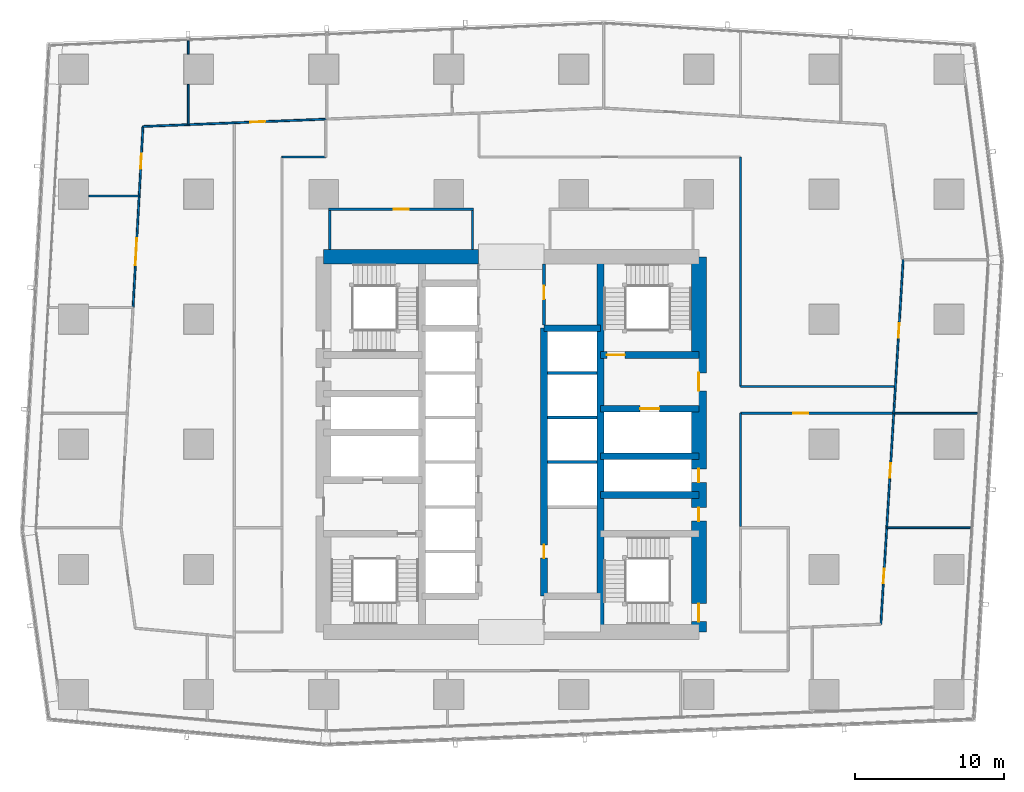
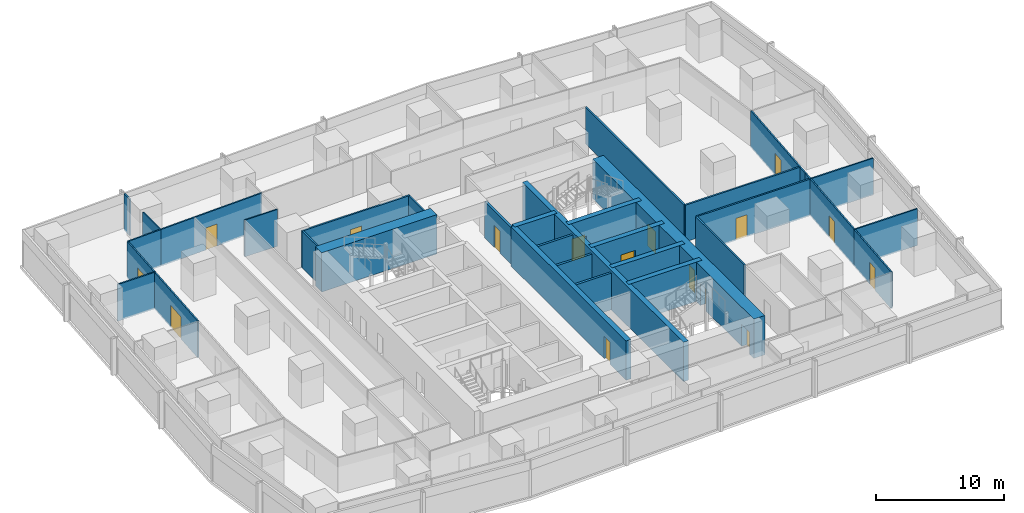
# One storey, part 30 of 39: 34 walls, 16 doors, 16 openings.
"""IFC4 building model written with IfcOpenShell, lengths in metres."""

from ifc_helpers import new_model, si_unit, direction, frame, frame_2d, origin, place, context, subcontext, project, spatial, rectangle, extrude, material, layer, layer_set, type_object, element, fill, save


model = new_model("IFC4")

# Units and contexts
model_context = context("Model", 3, precision=1e-05, world=origin(), true_north=direction((0.0, 1.0)))
body_context = subcontext(model_context, "Body", "Model", "MODEL_VIEW")
ifc_project = project(units=[si_unit("LENGTHUNIT", "METRE"), si_unit("AREAUNIT", "SQUARE_METRE"), si_unit("VOLUMEUNIT", "CUBIC_METRE"), si_unit("PLANEANGLEUNIT", "RADIAN"), si_unit("MASSUNIT", "GRAM", prefix="KILO")], contexts=[model_context])

# Site, building, storey
site_placement = place(None, origin())
site = spatial("IfcSite", under=ifc_project, at=site_placement, CompositionType="ELEMENT")
building_placement = place(site_placement, origin())
building = spatial("IfcBuilding", under=site, at=building_placement, Name="Rekha Terrace Tower", CompositionType="ELEMENT")
storey_placement = place(building_placement, frame((0.0, 0.0, 147.800048828125)))
storey = spatial("IfcBuildingStorey", under=building, at=storey_placement, Name="L37", CompositionType="ELEMENT", Elevation=147.800048828125)

# Wall
ifc_material_1 = material(Name="Concrete M70", Category="concrete")
ifc_layer_1 = layer(ifc_material_1, 0.449951171875)
ifc_layer_set_1 = layer_set([ifc_layer_1], Name="Concrete M70")
wall_type_1 = type_object("IfcWallType", Name="CI2 450 core internal shear wall", PredefinedType="SHEAR", material=ifc_layer_set_1)
wall_1_placement = place(storey_placement, frame((43.800048828125, 21.0, 0.0), z_axis=(0.0, 0.0, 1.0), x_axis=(0.0, 1.0, 0.0)))
element("IfcWall", 1, at=wall_1_placement, inside=storey, type_object=wall_type_1, Name="Core wall X438 L37", PredefinedType="SHEAR", context=body_context, shape_type="SweptSolid", body=[
    extrude(rectangle(XDim=25.199951171875, YDim=0.449951171875, at=frame_2d((12.60009765625, 0.0))), origin(), (0.0, 0.0, 1.0), 3.75),
])

# Wall, opening, door
wall_2_placement = place(storey_placement, frame((40.0, 23.39990234375, 0.0), z_axis=(0.0, 0.0, 1.0), x_axis=(0.0, 1.0, 0.0)))
wall_2 = element("IfcWall", 2, at=wall_2_placement, inside=storey, type_object=wall_type_1, Name="Core wall X400 L37", PredefinedType="SHEAR", context=body_context, shape_type="SweptSolid", body=[
    extrude(rectangle(XDim=18.0, YDim=0.449951171875, at=frame_2d((9.0, 0.0))), origin(), (0.0, 0.0, 1.0), 3.75),
])
opening_1_placement = place(wall_2_placement, frame((2.550048828125, 0.0, 0.0)))
opening_1 = element("IfcOpeningElement", 3, at=opening_1_placement, cuts=wall_2, Name="Opening D5", PredefinedType="OPENING", context=body_context, shape_type="SweptSolid", body=[
    extrude(rectangle(XDim=0.89990234375, YDim=2.10009765625, at=frame_2d((0.449951171875, 1.050048828125))), frame((0.0, 0.23486328125, 0.0), z_axis=(0.0, -1.0, 0.0), x_axis=(1.0, 0.0, 0.0)), (0.0, 0.0, 1.0), 0.469970703125),
])
ifc_material_2 = material(Name="Steel fire door", Category="steel")
door_type_1 = type_object("IfcDoorType", Name="D5 900x2100 riser access door", OperationType="SINGLE_SWING_LEFT", PredefinedType="DOOR", material=ifc_material_2)
door_1_placement = place(opening_1_placement, origin())
door_1 = element("IfcDoor", 4, at=door_1_placement, inside=storey, type_object=door_type_1, Name="Door back-of-house store L37", OperationType="SINGLE_SWING_LEFT", OverallHeight=2.10009765625, OverallWidth=0.89990234375, PredefinedType="DOOR", context=body_context, shape_type="SweptSolid", body=[
    extrude(rectangle(XDim=0.89990234375, YDim=2.10009765625, at=frame_2d((0.449951171875, 1.050048828125))), frame((0.0, 0.02490234375, 0.0), z_axis=(0.0, -1.0, 0.0), x_axis=(1.0, 0.0, 0.0)), (0.0, 0.0, 1.0), 0.050048828125),
])
fill(opening_1, door_1)

# Walls
wall_3_placement = place(storey_placement, frame((40.0, 41.39990234375, 0.0), z_axis=(0.0, 0.0, 1.0), x_axis=(1.0, 0.0, 0.0)))
element("IfcWall", 5, at=wall_3_placement, inside=storey, type_object=wall_type_1, Name="Core wall Y414E L37", PredefinedType="SHEAR", context=body_context, shape_type="SweptSolid", body=[
    extrude(rectangle(XDim=3.800048828125, YDim=0.449951171875, at=frame_2d((1.89990234375, 0.0))), origin(), (0.0, 0.0, 1.0), 3.75),
])
for number, where, z_axis, x_axis, name in (
    (6, (43.800048828125, 30.199951171875, 0.0), (0.0, 0.0, 1.0), (1.0, 0.0, 0.0), "Core wall Y302E L37"),
    (7, (43.800048828125, 32.800048828125, 0.0), (0.0, 0.0, 1.0), (1.0, 0.0, 0.0), "Core wall Y328E L37"),
):
    element("IfcWall", number, at=place(storey_placement, frame(where, z_axis=z_axis, x_axis=x_axis)), inside=storey, type_object=wall_type_1, Name=name, PredefinedType="SHEAR", context=body_context, shape_type="SweptSolid", body=[
        extrude(rectangle(XDim=6.599853515625, YDim=0.449951171875, at=frame_2d((3.2998046875, 0.0))), origin(), (0.0, 0.0, 1.0), 3.75),
    ])

# Wall, opening, door
wall_4_placement = place(storey_placement, frame((43.800048828125, 36.0, 0.0), z_axis=(0.0, 0.0, 1.0), x_axis=(1.0, 0.0, 0.0)))
wall_4 = element("IfcWall", 8, at=wall_4_placement, inside=storey, type_object=wall_type_1, Name="Core wall Y360E L37", PredefinedType="SHEAR", context=body_context, shape_type="SweptSolid", body=[
    extrude(rectangle(XDim=6.599853515625, YDim=0.449951171875, at=frame_2d((3.2998046875, 0.0))), origin(), (0.0, 0.0, 1.0), 3.75),
])
opening_2_placement = place(wall_4_placement, frame((2.64990234375, 0.0, 0.0)))
opening_2 = element("IfcOpeningElement", 9, at=opening_2_placement, cuts=wall_4, Name="Opening LD2", PredefinedType="OPENING", context=body_context, shape_type="SweptSolid", body=[
    extrude(rectangle(XDim=1.300048828125, YDim=2.10009765625, at=frame_2d((0.64990234375, 1.050048828125))), frame((0.0, 0.23486328125, 0.0), z_axis=(0.0, -1.0, 0.0), x_axis=(1.0, 0.0, 0.0)), (0.0, 0.0, 1.0), 0.469970703125),
])
ifc_material_3 = material(Name="Stainless steel sliding landing door", Category="steel")
door_type_2 = type_object("IfcDoorType", Name="LD2 1300x2100 fire lift landing door", OperationType="SLIDING_TO_LEFT", PredefinedType="USERDEFINED", material=ifc_material_3)
door_2_placement = place(opening_2_placement, origin())
door_2 = element("IfcDoor", 10, at=door_2_placement, inside=storey, type_object=door_type_2, Name="Lift FL2 landing door L37", ObjectType="LIFT LANDING DOOR", OperationType="SLIDING_TO_LEFT", OverallHeight=2.10009765625, OverallWidth=1.300048828125, PredefinedType="USERDEFINED", context=body_context, shape_type="SweptSolid", body=[
    extrude(rectangle(XDim=1.300048828125, YDim=2.10009765625, at=frame_2d((0.64990234375, 1.050048828125))), frame((0.0, 0.02490234375, 0.0), z_axis=(0.0, -1.0, 0.0), x_axis=(1.0, 0.0, 0.0)), (0.0, 0.0, 1.0), 0.050048828125),
])
fill(opening_2, door_2)

wall_5_placement = place(storey_placement, frame((43.800048828125, 39.60009765625, 0.0), z_axis=(0.0, 0.0, 1.0), x_axis=(1.0, 0.0, 0.0)))
wall_5 = element("IfcWall", 11, at=wall_5_placement, inside=storey, type_object=wall_type_1, Name="Core wall Y396E L37", PredefinedType="SHEAR", context=body_context, shape_type="SweptSolid", body=[
    extrude(rectangle(XDim=6.599853515625, YDim=0.449951171875, at=frame_2d((3.2998046875, 0.0))), origin(), (0.0, 0.0, 1.0), 3.75),
])
opening_3_placement = place(wall_5_placement, frame((0.425048828125, 0.0, 0.0)))
opening_3 = element("IfcOpeningElement", 12, at=opening_3_placement, cuts=wall_5, Name="Opening D1", PredefinedType="OPENING", context=body_context, shape_type="SweptSolid", body=[
    extrude(rectangle(XDim=1.199951171875, YDim=2.10009765625, at=frame_2d((0.60009765625, 1.050048828125))), frame((0.0, 0.23486328125, 0.0), z_axis=(0.0, -1.0, 0.0), x_axis=(1.0, 0.0, 0.0)), (0.0, 0.0, 1.0), 0.469970703125),
])
door_type_3 = type_object("IfcDoorType", Name="D1 1200x2100 stair fire door", OperationType="SINGLE_SWING_RIGHT", PredefinedType="DOOR", material=ifc_material_2)
door_3_placement = place(opening_3_placement, origin())
door_3 = element("IfcDoor", 13, at=door_3_placement, inside=storey, type_object=door_type_3, Name="Stair ST2 door L37", OperationType="SINGLE_SWING_RIGHT", OverallHeight=2.10009765625, OverallWidth=1.199951171875, PredefinedType="DOOR", context=body_context, shape_type="SweptSolid", body=[
    extrude(rectangle(XDim=1.199951171875, YDim=2.10009765625, at=frame_2d((0.60009765625, 1.050048828125))), frame((0.0, 0.02490234375, 0.0), z_axis=(0.0, -1.0, 0.0), x_axis=(1.0, 0.0, 0.0)), (0.0, 0.0, 1.0), 0.050048828125),
])
fill(opening_3, door_3)

# Wall
ifc_layer_2 = layer(ifc_material_1, 1.0)
ifc_layer_set_2 = layer_set([ifc_layer_2], Name="Concrete M70")
wall_type_2 = type_object("IfcWallType", Name="SW2 1000 core outer shear wall", PredefinedType="SHEAR", material=ifc_layer_set_2)
wall_6_placement = place(storey_placement, frame((25.199951171875, 46.199951171875, 0.0), z_axis=(0.0, 0.0, 1.0), x_axis=(1.0, 0.0, 0.0)))
element("IfcWall", 14, at=wall_6_placement, inside=storey, type_object=wall_type_2, Name="Core wall N1 L37", PredefinedType="SHEAR", context=body_context, shape_type="SweptSolid", body=[
    extrude(rectangle(XDim=10.400146484375, YDim=1.0, at=frame_2d((5.2001953125, 0.0))), origin(), (0.0, 0.0, 1.0), 3.75),
])

# Wall, openings, doors
wall_7_placement = place(storey_placement, frame((50.39990234375, 21.0, 0.0), z_axis=(0.0, 0.0, 1.0), x_axis=(0.0, 1.0, 0.0)))
wall_7 = element("IfcWall", 15, at=wall_7_placement, inside=storey, type_object=wall_type_2, Name="Core wall E L37", PredefinedType="SHEAR", context=body_context, shape_type="SweptSolid", body=[
    extrude(rectangle(XDim=25.199951171875, YDim=1.0, at=frame_2d((12.60009765625, 0.0))), origin(), (0.0, 0.0, 1.0), 3.75),
])
opening_4_placement = place(wall_7_placement, frame((16.199951171875, 0.0, 0.0)))
opening_4 = element("IfcOpeningElement", 16, at=opening_4_placement, cuts=wall_7, Name="Opening D2", PredefinedType="OPENING", context=body_context, shape_type="SweptSolid", body=[
    extrude(rectangle(XDim=1.199951171875, YDim=2.10009765625, at=frame_2d((0.60009765625, 1.050048828125))), frame((0.0, 0.510009765625, 0.0), z_axis=(0.0, -1.0, 0.0), x_axis=(1.0, 0.0, 0.0)), (0.0, 0.0, 1.0), 1.02001953125),
])
opening_5_placement = place(wall_7_placement, frame((10.050048828125, 0.0, 0.0)))
opening_5 = element("IfcOpeningElement", 17, at=opening_5_placement, cuts=wall_7, Name="Opening D5", PredefinedType="OPENING", context=body_context, shape_type="SweptSolid", body=[
    extrude(rectangle(XDim=0.89990234375, YDim=2.10009765625, at=frame_2d((0.449951171875, 1.050048828125))), frame((0.0, 0.510009765625, 0.0), z_axis=(0.0, -1.0, 0.0), x_axis=(1.0, 0.0, 0.0)), (0.0, 0.0, 1.0), 1.02001953125),
])
opening_6_placement = place(wall_7_placement, frame((7.449951171875, 0.0, 0.0)))
opening_6 = element("IfcOpeningElement", 18, at=opening_6_placement, cuts=wall_7, Name="Opening D5", PredefinedType="OPENING", context=body_context, shape_type="SweptSolid", body=[
    extrude(rectangle(XDim=0.89990234375, YDim=2.10009765625, at=frame_2d((0.449951171875, 1.050048828125))), frame((0.0, 0.510009765625, 0.0), z_axis=(0.0, -1.0, 0.0), x_axis=(1.0, 0.0, 0.0)), (0.0, 0.0, 1.0), 1.02001953125),
])
opening_7_placement = place(wall_7_placement, frame((0.699951171875, 0.0, 0.0)))
opening_7 = element("IfcOpeningElement", 19, at=opening_7_placement, cuts=wall_7, Name="Opening D1", PredefinedType="OPENING", context=body_context, shape_type="SweptSolid", body=[
    extrude(rectangle(XDim=1.199951171875, YDim=2.10009765625, at=frame_2d((0.60009765625, 1.050048828125))), frame((0.0, 0.510009765625, 0.0), z_axis=(0.0, -1.0, 0.0), x_axis=(1.0, 0.0, 0.0)), (0.0, 0.0, 1.0), 1.02001953125),
])
door_4_placement = place(opening_7_placement, origin())
door_4 = element("IfcDoor", 20, at=door_4_placement, inside=storey, type_object=door_type_3, Name="Stair ST3 door L37", OperationType="SINGLE_SWING_RIGHT", OverallHeight=2.10009765625, OverallWidth=1.199951171875, PredefinedType="DOOR", context=body_context, shape_type="SweptSolid", body=[
    extrude(rectangle(XDim=1.199951171875, YDim=2.10009765625, at=frame_2d((0.60009765625, 1.050048828125))), frame((0.0, 0.02490234375, 0.0), z_axis=(0.0, -1.0, 0.0), x_axis=(1.0, 0.0, 0.0)), (0.0, 0.0, 1.0), 0.050048828125),
])
fill(opening_7, door_4)
door_type_4 = type_object("IfcDoorType", Name="D2 1200x2100 firefighting lobby door", OperationType="SINGLE_SWING_LEFT", PredefinedType="DOOR", material=ifc_material_2)
door_5_placement = place(opening_4_placement, origin())
door_5 = element("IfcDoor", 21, at=door_5_placement, inside=storey, type_object=door_type_4, Name="Door flb2 L37", OperationType="SINGLE_SWING_LEFT", OverallHeight=2.10009765625, OverallWidth=1.199951171875, PredefinedType="DOOR", context=body_context, shape_type="SweptSolid", body=[
    extrude(rectangle(XDim=1.199951171875, YDim=2.10009765625, at=frame_2d((0.60009765625, 1.050048828125))), frame((0.0, 0.02490234375, 0.0), z_axis=(0.0, -1.0, 0.0), x_axis=(1.0, 0.0, 0.0)), (0.0, 0.0, 1.0), 0.050048828125),
])
fill(opening_4, door_5)
door_6_placement = place(opening_5_placement, origin())
door_6 = element("IfcDoor", 22, at=door_6_placement, inside=storey, type_object=door_type_1, Name="Door rs2 L37", OperationType="SINGLE_SWING_LEFT", OverallHeight=2.10009765625, OverallWidth=0.89990234375, PredefinedType="DOOR", context=body_context, shape_type="SweptSolid", body=[
    extrude(rectangle(XDim=0.89990234375, YDim=2.10009765625, at=frame_2d((0.449951171875, 1.050048828125))), frame((0.0, 0.02490234375, 0.0), z_axis=(0.0, -1.0, 0.0), x_axis=(1.0, 0.0, 0.0)), (0.0, 0.0, 1.0), 0.050048828125),
])
fill(opening_5, door_6)
door_7_placement = place(opening_6_placement, origin())
door_7 = element("IfcDoor", 23, at=door_7_placement, inside=storey, type_object=door_type_1, Name="Door ele L37", OperationType="SINGLE_SWING_LEFT", OverallHeight=2.10009765625, OverallWidth=0.89990234375, PredefinedType="DOOR", context=body_context, shape_type="SweptSolid", body=[
    extrude(rectangle(XDim=0.89990234375, YDim=2.10009765625, at=frame_2d((0.449951171875, 1.050048828125))), frame((0.0, 0.02490234375, 0.0), z_axis=(0.0, -1.0, 0.0), x_axis=(1.0, 0.0, 0.0)), (0.0, 0.0, 1.0), 0.050048828125),
])
fill(opening_6, door_7)

# Wall, opening, door
ifc_material_4 = material(Name="Concrete block masonry, 1 hour", Category="masonry")
ifc_layer_3 = layer(ifc_material_4, 0.14990234375)
ifc_layer_set_3 = layer_set([ifc_layer_3], Name="Concrete block masonry, 1 hour")
wall_type_3 = type_object("IfcWallType", Name="WP2 150 tenancy partition", PredefinedType="PARTITIONING", material=ifc_layer_set_3)
wall_8_placement = place(storey_placement, frame((25.52490234375, 49.39990234375, 0.0), z_axis=(0.0, 0.0, 1.0), x_axis=(1.0, 0.0, 0.0)))
wall_8 = element("IfcWall", 24, at=wall_8_placement, inside=storey, type_object=wall_type_3, Name="Women's WC wall L37", PredefinedType="PARTITIONING", context=body_context, shape_type="SweptSolid", body=[
    extrude(rectangle(XDim=9.75, YDim=0.14990234375, at=frame_2d((4.875, 0.0))), origin(), (0.0, 0.0, 1.0), 3.5),
])
opening_8_placement = place(wall_8_placement, frame((4.375, 0.0, 0.0)))
opening_8 = element("IfcOpeningElement", 25, at=opening_8_placement, cuts=wall_8, Name="Opening D3", PredefinedType="OPENING", context=body_context, shape_type="SweptSolid", body=[
    extrude(rectangle(XDim=1.0, YDim=2.10009765625, at=frame_2d((0.5, 1.050048828125))), frame((0.0, 0.0849609375, 0.0), z_axis=(0.0, -1.0, 0.0), x_axis=(1.0, 0.0, 0.0)), (0.0, 0.0, 1.0), 0.169921875),
])
ifc_material_5 = material(Name="Laminated timber fire door", Category="wood")
door_type_5 = type_object("IfcDoorType", Name="D3 1000x2100 WC door", OperationType="SINGLE_SWING_LEFT", PredefinedType="DOOR", material=ifc_material_5)
door_8_placement = place(opening_8_placement, origin())
door_8 = element("IfcDoor", 26, at=door_8_placement, inside=storey, type_object=door_type_5, Name="Door women's wc L37", OperationType="SINGLE_SWING_LEFT", OverallHeight=2.10009765625, OverallWidth=1.0, PredefinedType="DOOR", context=body_context, shape_type="SweptSolid", body=[
    extrude(rectangle(XDim=1.0, YDim=2.10009765625, at=frame_2d((0.5, 1.050048828125))), frame((0.0, 0.02490234375, 0.0), z_axis=(0.0, -1.0, 0.0), x_axis=(1.0, 0.0, 0.0)), (0.0, 0.0, 1.0), 0.050048828125),
])
fill(opening_8, door_8)

# Walls
for number, where, z_axis, x_axis, name in (
    (27, (25.60009765625, 46.699951171875, 0.0), (0.0, 0.0, 1.0), (0.0, 1.0, 0.0), "Women's WC wall L37"),
    (28, (35.199951171875, 46.699951171875, 0.0), (0.0, 0.0, 1.0), (0.0, 1.0, 0.0), "Women's WC wall L37"),
):
    element("IfcWall", number, at=place(storey_placement, frame(where, z_axis=z_axis, x_axis=x_axis)), inside=storey, type_object=wall_type_3, Name=name, PredefinedType="PARTITIONING", context=body_context, shape_type="SweptSolid", body=[
        extrude(rectangle(XDim=2.625, YDim=0.14990234375, at=frame_2d((1.3125, 0.0))), origin(), (0.0, 0.0, 1.0), 3.5),
    ])
wall_9_placement = place(storey_placement, frame((63.54296875, 37.489990234375, 0.0), z_axis=(0.0, 0.0, 1.0), x_axis=(-1.0, 0.0, 0.0)))
element("IfcWall", 29, at=wall_9_placement, inside=storey, type_object=wall_type_3, Name="Partition L37-O1", PredefinedType="PARTITIONING", context=body_context, shape_type="SweptSolid", body=[
    extrude(rectangle(XDim=10.343017578125, YDim=0.14990234375, at=frame_2d((5.17138671875, 0.0))), origin(), (0.0, 0.0, 1.0), 3.5),
])
wall_10_placement = place(storey_placement, frame((53.199951171875, 37.489990234375, 0.0), z_axis=(0.0, 0.0, 1.0), x_axis=(0.0, 1.0, 0.0)))
element("IfcWall", 30, at=wall_10_placement, inside=storey, type_object=wall_type_3, Name="Partition L37-O1", PredefinedType="PARTITIONING", context=body_context, shape_type="SweptSolid", body=[
    extrude(rectangle(XDim=15.409912109375, YDim=0.14990234375, at=frame_2d((7.705078125, 0.0))), origin(), (0.0, 0.0, 1.0), 3.5),
])
wall_11_placement = place(storey_placement, frame((53.199951171875, 28.074951171875, 0.0), z_axis=(0.0, 0.0, 1.0), x_axis=(0.0, 1.0, 0.0)))
element("IfcWall", 31, at=wall_11_placement, inside=storey, type_object=wall_type_3, Name="Partition L37-O1b", PredefinedType="PARTITIONING", context=body_context, shape_type="SweptSolid", body=[
    extrude(rectangle(XDim=7.614990234375, YDim=0.14990234375, at=frame_2d((3.8076171875, 0.0))), origin(), (0.0, 0.0, 1.0), 3.5),
])

# Wall, opening, door
wall_12_placement = place(storey_placement, frame((53.199951171875, 35.68994140625, 0.0), z_axis=(0.0, 0.0, 1.0), x_axis=(1.0, 0.0, 0.0)))
wall_12 = element("IfcWall", 32, at=wall_12_placement, inside=storey, type_object=wall_type_3, Name="Partition L37-O1b", PredefinedType="PARTITIONING", context=body_context, shape_type="SweptSolid", body=[
    extrude(rectangle(XDim=10.24609375, YDim=0.14990234375, at=frame_2d((5.123046875, 0.0))), origin(), (0.0, 0.0, 1.0), 3.5),
])
opening_9_placement = place(wall_12_placement, frame((3.547119140625, 0.0, 0.0)))
opening_9 = element("IfcOpeningElement", 33, at=opening_9_placement, cuts=wall_12, Name="Opening D9", PredefinedType="OPENING", context=body_context, shape_type="SweptSolid", body=[
    extrude(rectangle(XDim=1.0, YDim=2.10009765625, at=frame_2d((0.5, 1.050048828125))), frame((0.0, 0.0849609375, 0.0), z_axis=(0.0, -1.0, 0.0), x_axis=(1.0, 0.0, 0.0)), (0.0, 0.0, 1.0), 0.169921875),
])
ifc_material_6 = material(Name="Timber fire door", Category="wood")
door_type_6 = type_object("IfcDoorType", Name="D9 1000x2100 office door", OperationType="SINGLE_SWING_LEFT", PredefinedType="DOOR", material=ifc_material_6)
door_9_placement = place(opening_9_placement, origin())
door_9 = element("IfcDoor", 34, at=door_9_placement, inside=storey, type_object=door_type_6, Name="Door open-plan office L37", OperationType="SINGLE_SWING_LEFT", OverallHeight=2.10009765625, OverallWidth=1.0, PredefinedType="DOOR", context=body_context, shape_type="SweptSolid", body=[
    extrude(rectangle(XDim=1.0, YDim=2.10009765625, at=frame_2d((0.5, 1.050048828125))), frame((0.0, 0.02490234375, 0.0), z_axis=(0.0, -1.0, 0.0), x_axis=(1.0, 0.0, 0.0)), (0.0, 0.0, 1.0), 0.050048828125),
])
fill(opening_9, door_9)

# Wall
ifc_material_7 = material(Name="Two layers of fire-rated gypsum board each side on steel studs, acoustic quilt, 1 hour", Category="steel")
ifc_layer_4 = layer(ifc_material_7, 0.125)
ifc_layer_set_4 = layer_set([ifc_layer_4], Name="Two layers of fire-rated gypsum board each side on steel studs, acoustic quilt, 1 hour")
wall_type_4 = type_object("IfcWallType", Name="WP3 125 office partition", PredefinedType="PARTITIONING", material=ifc_layer_set_4)
wall_13_placement = place(storey_placement, frame((63.02392578125, 27.9970703125, 0.0), z_axis=(0.0, 0.0, 1.0), x_axis=(1.0, 0.0, 0.0)))
element("IfcWall", 35, at=wall_13_placement, inside=storey, type_object=wall_type_4, Name="Partition L37-03", PredefinedType="PARTITIONING", context=body_context, shape_type="SweptSolid", body=[
    extrude(rectangle(XDim=5.631103515625, YDim=0.125, at=frame_2d((2.8154296875, 0.0))), origin(), (0.0, 0.0, 1.0), 3.5),
])

# Wall, opening, door
wall_14_placement = place(storey_placement, frame((62.626953125, 21.51708984375, 0.0), z_axis=(0.0, 0.0, 1.0), x_axis=(0.061146763842, 0.998128785915, 0.0)))
wall_14 = element("IfcWall", 36, at=wall_14_placement, inside=storey, type_object=wall_type_4, Name="Partition L37-03", PredefinedType="PARTITIONING", context=body_context, shape_type="SweptSolid", body=[
    extrude(rectangle(XDim=6.4921875, YDim=0.125, at=frame_2d((3.24609375, 0.0))), origin(), (0.0, 0.0, 1.0), 3.5),
])
opening_10_placement = place(wall_14_placement, frame((2.74609375, 0.0, 0.0)))
opening_10 = element("IfcOpeningElement", 37, at=opening_10_placement, cuts=wall_14, Name="Opening D9", PredefinedType="OPENING", context=body_context, shape_type="SweptSolid", body=[
    extrude(rectangle(XDim=1.0, YDim=2.10009765625, at=frame_2d((0.5, 1.050048828125))), frame((0.0, 0.072509765625, 0.0), z_axis=(0.0, -1.0, 0.0), x_axis=(1.0, 0.0, 0.0)), (0.0, 0.0, 1.0), 0.14501953125),
])
door_10_placement = place(opening_10_placement, origin())
door_10 = element("IfcDoor", 38, at=door_10_placement, inside=storey, type_object=door_type_6, Name="Door director's office L37", OperationType="SINGLE_SWING_LEFT", OverallHeight=2.10009765625, OverallWidth=1.0, PredefinedType="DOOR", context=body_context, shape_type="SweptSolid", body=[
    extrude(rectangle(XDim=1.0, YDim=2.10009765625, at=frame_2d((0.5, 1.050048828125))), frame((0.0, 0.02490234375, 0.0), z_axis=(0.0, -1.0, 0.0), x_axis=(1.0, 0.0, 0.0)), (0.0, 0.0, 1.0), 0.050048828125),
])
fill(opening_10, door_10)

wall_15_placement = place(storey_placement, frame((63.02392578125, 27.998046875, 0.0), z_axis=(0.0, 0.0, 1.0), x_axis=(0.061174508596, 0.998127085845, 0.0)))
wall_15 = element("IfcWall", 39, at=wall_15_placement, inside=storey, type_object=wall_type_4, Name="Partition L37-04", PredefinedType="PARTITIONING", context=body_context, shape_type="SweptSolid", body=[
    extrude(rectangle(XDim=7.702392578125, YDim=0.125, at=frame_2d((3.85107421875, 0.0))), origin(), (0.0, 0.0, 1.0), 3.5),
])
opening_11_placement = place(wall_15_placement, frame((3.35107421875, 0.0, 0.0)))
opening_11 = element("IfcOpeningElement", 40, at=opening_11_placement, cuts=wall_15, Name="Opening D9", PredefinedType="OPENING", context=body_context, shape_type="SweptSolid", body=[
    extrude(rectangle(XDim=1.0, YDim=2.10009765625, at=frame_2d((0.5, 1.050048828125))), frame((0.0, 0.072509765625, 0.0), z_axis=(0.0, -1.0, 0.0), x_axis=(1.0, 0.0, 0.0)), (0.0, 0.0, 1.0), 0.14501953125),
])
door_11_placement = place(opening_11_placement, origin())
door_11 = element("IfcDoor", 41, at=door_11_placement, inside=storey, type_object=door_type_6, Name="Door office L37", OperationType="SINGLE_SWING_LEFT", OverallHeight=2.10009765625, OverallWidth=1.0, PredefinedType="DOOR", context=body_context, shape_type="SweptSolid", body=[
    extrude(rectangle(XDim=1.0, YDim=2.10009765625, at=frame_2d((0.5, 1.050048828125))), frame((0.0, 0.02490234375, 0.0), z_axis=(0.0, -1.0, 0.0), x_axis=(1.0, 0.0, 0.0)), (0.0, 0.0, 1.0), 0.050048828125),
])
fill(opening_11, door_11)

# Wall
wall_16_placement = place(storey_placement, frame((63.4951171875, 35.68603515625, 0.0), z_axis=(0.0, 0.0, 1.0), x_axis=(1.0, 0.0, 0.0)))
element("IfcWall", 42, at=wall_16_placement, inside=storey, type_object=wall_type_4, Name="Partition L37-04", PredefinedType="PARTITIONING", context=body_context, shape_type="SweptSolid", body=[
    extrude(rectangle(XDim=5.630859375, YDim=0.125, at=frame_2d((2.8154296875, 0.0))), origin(), (0.0, 0.0, 1.0), 3.5),
])

# Wall, opening, door
wall_17_placement = place(storey_placement, frame((63.5439453125, 36.490966796875, 0.0), z_axis=(0.0, 0.0, 1.0), x_axis=(0.061131923864, 0.998129694922, 0.0)))
wall_17 = element("IfcWall", 43, at=wall_17_placement, inside=storey, type_object=wall_type_4, Name="Partition L37-05", PredefinedType="PARTITIONING", context=body_context, shape_type="SweptSolid", body=[
    extrude(rectangle(XDim=9.536865234375, YDim=0.125, at=frame_2d((4.7685546875, 0.0))), origin(), (0.0, 0.0, 1.0), 3.5),
])
opening_12_placement = place(wall_17_placement, frame((4.264892578125, 0.0, 0.0)))
opening_12 = element("IfcOpeningElement", 44, at=opening_12_placement, cuts=wall_17, Name="Opening D9", PredefinedType="OPENING", context=body_context, shape_type="SweptSolid", body=[
    extrude(rectangle(XDim=1.0, YDim=2.10009765625, at=frame_2d((0.5, 1.050048828125))), frame((0.0, 0.072509765625, 0.0), z_axis=(0.0, -1.0, 0.0), x_axis=(1.0, 0.0, 0.0)), (0.0, 0.0, 1.0), 0.14501953125),
])
door_12_placement = place(opening_12_placement, origin())
door_12 = element("IfcDoor", 45, at=door_12_placement, inside=storey, type_object=door_type_6, Name="Door office L37", OperationType="SINGLE_SWING_LEFT", OverallHeight=2.10009765625, OverallWidth=1.0, PredefinedType="DOOR", context=body_context, shape_type="SweptSolid", body=[
    extrude(rectangle(XDim=1.0, YDim=2.10009765625, at=frame_2d((0.5, 1.050048828125))), frame((0.0, 0.02490234375, 0.0), z_axis=(0.0, -1.0, 0.0), x_axis=(1.0, 0.0, 0.0)), (0.0, 0.0, 1.0), 0.050048828125),
])
fill(opening_12, door_12)

# Wall
wall_18_placement = place(storey_placement, frame((63.4951171875, 35.68701171875, 0.0), z_axis=(0.0, 0.0, 1.0), x_axis=(0.060623183924, 0.998160723316, 0.0)))
element("IfcWall", 46, at=wall_18_placement, inside=storey, type_object=wall_type_4, Name="Partition L37-05", PredefinedType="PARTITIONING", context=body_context, shape_type="SweptSolid", body=[
    extrude(rectangle(XDim=0.805419921875, YDim=0.125, at=frame_2d((0.40283203125, 0.0))), origin(), (0.0, 0.0, 1.0), 3.5),
])

# Wall, opening, door
wall_19_placement = place(storey_placement, frame((25.4130859375, 55.448974609375, 0.0), z_axis=(0.0, 0.0, 1.0), x_axis=(-0.999198361773, -0.04003290935, 0.0)))
wall_19 = element("IfcWall", 47, at=wall_19_placement, inside=storey, type_object=wall_type_4, Name="Partition L37-11", PredefinedType="PARTITIONING", context=body_context, shape_type="SweptSolid", body=[
    extrude(rectangle(XDim=9.318603515625, YDim=0.125, at=frame_2d((4.6591796875, 0.0))), origin(), (0.0, 0.0, 1.0), 3.5),
])
opening_13_placement = place(wall_19_placement, frame((4.158935546875, 0.0, 0.0)))
opening_13 = element("IfcOpeningElement", 48, at=opening_13_placement, cuts=wall_19, Name="Opening D9", PredefinedType="OPENING", context=body_context, shape_type="SweptSolid", body=[
    extrude(rectangle(XDim=1.0, YDim=2.10009765625, at=frame_2d((0.5, 1.050048828125))), frame((0.0, 0.072509765625, 0.0), z_axis=(0.0, -1.0, 0.0), x_axis=(1.0, 0.0, 0.0)), (0.0, 0.0, 1.0), 0.14501953125),
])
door_13_placement = place(opening_13_placement, origin())
door_13 = element("IfcDoor", 49, at=door_13_placement, inside=storey, type_object=door_type_6, Name="Door office L37", OperationType="SINGLE_SWING_LEFT", OverallHeight=2.10009765625, OverallWidth=1.0, PredefinedType="DOOR", context=body_context, shape_type="SweptSolid", body=[
    extrude(rectangle(XDim=1.0, YDim=2.10009765625, at=frame_2d((0.5, 1.050048828125))), frame((0.0, 0.02490234375, 0.0), z_axis=(0.0, -1.0, 0.0), x_axis=(1.0, 0.0, 0.0)), (0.0, 0.0, 1.0), 0.050048828125),
])
fill(opening_13, door_13)

# Walls
wall_20_placement = place(storey_placement, frame((16.10205078125, 55.075927734375, 0.0), z_axis=(0.0, 0.0, 1.0), x_axis=(0.0, 1.0, 0.0)))
element("IfcWall", 50, at=wall_20_placement, inside=storey, type_object=wall_type_4, Name="Partition L37-11", PredefinedType="PARTITIONING", context=body_context, shape_type="SweptSolid", body=[
    extrude(rectangle(XDim=2.7041015625, YDim=0.125, at=frame_2d((1.35205078125, 0.0))), origin(), (0.0, 0.0, 1.0), 3.5),
])
wall_21_placement = place(storey_placement, frame((16.10205078125, 59.820068359375, 0.0), z_axis=(0.0, 0.0, 1.0), x_axis=(0.0, 1.0, 0.0)))
element("IfcWall", 51, at=wall_21_placement, inside=storey, type_object=wall_type_4, Name="Partition L37-11", PredefinedType="PARTITIONING", context=body_context, shape_type="SweptSolid", body=[
    extrude(rectangle(XDim=0.8798828125, YDim=0.125, at=frame_2d((0.43994140625, 0.0))), origin(), (0.0, 0.0, 1.0), 3.5),
])
wall_22_placement = place(storey_placement, frame((16.10107421875, 55.075927734375, 0.0), z_axis=(0.0, 0.0, 1.0), x_axis=(-0.999198007742, -0.040041744769, 0.0)))
element("IfcWall", 52, at=wall_22_placement, inside=storey, type_object=wall_type_4, Name="Partition L37-12", PredefinedType="PARTITIONING", context=body_context, shape_type="SweptSolid", body=[
    extrude(rectangle(XDim=3.04248046875, YDim=0.125, at=frame_2d((1.521240234375, 0.0))), origin(), (0.0, 0.0, 1.0), 3.5),
])

# Wall, opening, door
wall_23_placement = place(storey_placement, frame((13.06103515625, 54.9541015625, 0.0), z_axis=(0.0, 0.0, 1.0), x_axis=(-0.054767351649, -0.99849914231, 0.0)))
wall_23 = element("IfcWall", 53, at=wall_23_placement, inside=storey, type_object=wall_type_4, Name="Partition L37-12", PredefinedType="PARTITIONING", context=body_context, shape_type="SweptSolid", body=[
    extrude(rectangle(XDim=4.67626953125, YDim=0.125, at=frame_2d((2.338134765625, 0.0))), origin(), (0.0, 0.0, 1.0), 3.5),
])
opening_14_placement = place(wall_23_placement, frame((1.837890625, 0.0, 0.0)))
opening_14 = element("IfcOpeningElement", 54, at=opening_14_placement, cuts=wall_23, Name="Opening D9", PredefinedType="OPENING", context=body_context, shape_type="SweptSolid", body=[
    extrude(rectangle(XDim=1.0, YDim=2.10009765625, at=frame_2d((0.5, 1.050048828125))), frame((0.0, 0.072509765625, 0.0), z_axis=(0.0, -1.0, 0.0), x_axis=(1.0, 0.0, 0.0)), (0.0, 0.0, 1.0), 0.14501953125),
])
door_14_placement = place(opening_14_placement, origin())
door_14 = element("IfcDoor", 55, at=door_14_placement, inside=storey, type_object=door_type_6, Name="Door director's office L37", OperationType="SINGLE_SWING_LEFT", OverallHeight=2.10009765625, OverallWidth=1.0, PredefinedType="DOOR", context=body_context, shape_type="SweptSolid", body=[
    extrude(rectangle(XDim=1.0, YDim=2.10009765625, at=frame_2d((0.5, 1.050048828125))), frame((0.0, 0.02490234375, 0.0), z_axis=(0.0, -1.0, 0.0), x_axis=(1.0, 0.0, 0.0)), (0.0, 0.0, 1.0), 0.050048828125),
])
fill(opening_14, door_14)

# Wall
wall_24_placement = place(storey_placement, frame((12.804931640625, 50.284912109375, 0.0), z_axis=(0.0, 0.0, 1.0), x_axis=(-1.0, 0.0, 0.0)))
element("IfcWall", 56, at=wall_24_placement, inside=storey, type_object=wall_type_4, Name="Partition L37-12", PredefinedType="PARTITIONING", context=body_context, shape_type="SweptSolid", body=[
    extrude(rectangle(XDim=3.385009765625, YDim=0.125, at=frame_2d((1.6923828125, 0.0))), origin(), (0.0, 0.0, 1.0), 3.5),
])

# Wall, opening, door
wall_25_placement = place(storey_placement, frame((12.804931640625, 50.283935546875, 0.0), z_axis=(0.0, 0.0, 1.0), x_axis=(-0.054783132828, -0.998498276592, 0.0)))
wall_25 = element("IfcWall", 57, at=wall_25_placement, inside=storey, type_object=wall_type_4, Name="Partition L37-13", PredefinedType="PARTITIONING", context=body_context, shape_type="SweptSolid", body=[
    extrude(rectangle(XDim=7.500244140625, YDim=0.125, at=frame_2d((3.75, 0.0))), origin(), (0.0, 0.0, 1.0), 3.5),
])
opening_15_placement = place(wall_25_placement, frame((2.85009765625, 0.0, 0.0)))
opening_15 = element("IfcOpeningElement", 58, at=opening_15_placement, cuts=wall_25, Name="Opening D8", PredefinedType="OPENING", context=body_context, shape_type="SweptSolid", body=[
    extrude(rectangle(XDim=1.800048828125, YDim=2.10009765625, at=frame_2d((0.89990234375, 1.050048828125))), frame((0.0, 0.072509765625, 0.0), z_axis=(0.0, -1.0, 0.0), x_axis=(1.0, 0.0, 0.0)), (0.0, 0.0, 1.0), 0.14501953125),
])
door_type_7 = type_object("IfcDoorType", Name="D8 1800x2100 double leaf door", OperationType="DOUBLE_DOOR_SINGLE_SWING", PredefinedType="DOOR", material=ifc_material_6)
door_15_placement = place(opening_15_placement, origin())
door_15 = element("IfcDoor", 59, at=door_15_placement, inside=storey, type_object=door_type_7, Name="Door print room L37", OperationType="DOUBLE_DOOR_SINGLE_SWING", OverallHeight=2.10009765625, OverallWidth=1.800048828125, PredefinedType="DOOR", context=body_context, shape_type="SweptSolid", body=[
    extrude(rectangle(XDim=1.800048828125, YDim=2.10009765625, at=frame_2d((0.89990234375, 1.050048828125))), frame((0.0, 0.02490234375, 0.0), z_axis=(0.0, -1.0, 0.0), x_axis=(1.0, 0.0, 0.0)), (0.0, 0.0, 1.0), 0.050048828125),
])
fill(opening_15, door_15)

# Walls
wall_26_placement = place(storey_placement, frame((25.346923828125, 52.89990234375, 0.0), z_axis=(0.0, 0.0, 1.0), x_axis=(-1.0, 0.0, 0.0)))
element("IfcWall", 60, at=wall_26_placement, inside=storey, type_object=wall_type_4, Name="Partition L37-19", PredefinedType="PARTITIONING", context=body_context, shape_type="SweptSolid", body=[
    extrude(rectangle(XDim=2.947021484375, YDim=0.125, at=frame_2d((1.4736328125, 0.0))), origin(), (0.0, 0.0, 1.0), 3.5),
])
ifc_material_8 = material(Name="Solid concrete block masonry, 2 hour", Category="masonry")
ifc_layer_5 = layer(ifc_material_8, 0.199951171875)
ifc_layer_set_5 = layer_set([ifc_layer_5], Name="Solid concrete block masonry, 2 hour")
wall_type_5 = type_object("IfcWallType", Name="WS1 200 stair and shaft enclosure", PredefinedType="PARTITIONING", material=ifc_layer_set_5)
for number, where, z_axis, x_axis, name in (
    (61, (40.22509765625, 32.39990234375, 0.0), (0.0, 0.0, 1.0), (1.0, 0.0, 0.0), "Lift shaft divider L37"),
    (62, (40.22509765625, 35.39990234375, 0.0), (0.0, 0.0, 1.0), (1.0, 0.0, 0.0), "Lift shaft divider L37"),
    (63, (40.22509765625, 38.39990234375, 0.0), (0.0, 0.0, 1.0), (1.0, 0.0, 0.0), "Lift shaft divider L37"),
):
    element("IfcWall", number, at=place(storey_placement, frame(where, z_axis=z_axis, x_axis=x_axis)), inside=storey, type_object=wall_type_5, Name=name, PredefinedType="PARTITIONING", context=body_context, shape_type="SweptSolid", body=[
        extrude(rectangle(XDim=3.349853515625, YDim=0.199951171875, at=frame_2d((1.6748046875, 0.0))), origin(), (0.0, 0.0, 1.0), 3.5),
    ])

# Wall, opening, door
wall_27_placement = place(storey_placement, frame((40.0, 41.625, 0.0), z_axis=(0.0, 0.0, 1.0), x_axis=(0.0, 1.0, 0.0)))
wall_27 = element("IfcWall", 64, at=wall_27_placement, inside=storey, type_object=wall_type_5, Name="Core partition elec L37", PredefinedType="PARTITIONING", context=body_context, shape_type="SweptSolid", body=[
    extrude(rectangle(XDim=4.074951171875, YDim=0.199951171875, at=frame_2d((2.03759765625, 0.0))), origin(), (0.0, 0.0, 1.0), 3.5),
])
opening_16_placement = place(wall_27_placement, frame((1.72509765625, 0.0, 0.0)))
opening_16 = element("IfcOpeningElement", 65, at=opening_16_placement, cuts=wall_27, Name="Opening D5", PredefinedType="OPENING", context=body_context, shape_type="SweptSolid", body=[
    extrude(rectangle(XDim=0.89990234375, YDim=2.10009765625, at=frame_2d((0.449951171875, 1.050048828125))), frame((0.0, 0.10986328125, 0.0), z_axis=(0.0, -1.0, 0.0), x_axis=(1.0, 0.0, 0.0)), (0.0, 0.0, 1.0), 0.219970703125),
])
door_16_placement = place(opening_16_placement, origin())
door_16 = element("IfcDoor", 66, at=door_16_placement, inside=storey, type_object=door_type_1, Name="Door electrical room L37", OperationType="SINGLE_SWING_LEFT", OverallHeight=2.10009765625, OverallWidth=0.89990234375, PredefinedType="DOOR", context=body_context, shape_type="SweptSolid", body=[
    extrude(rectangle(XDim=0.89990234375, YDim=2.10009765625, at=frame_2d((0.449951171875, 1.050048828125))), frame((0.0, 0.02490234375, 0.0), z_axis=(0.0, -1.0, 0.0), x_axis=(1.0, 0.0, 0.0)), (0.0, 0.0, 1.0), 0.050048828125),
])
fill(opening_16, door_16)

save(model, "model.ifc")
